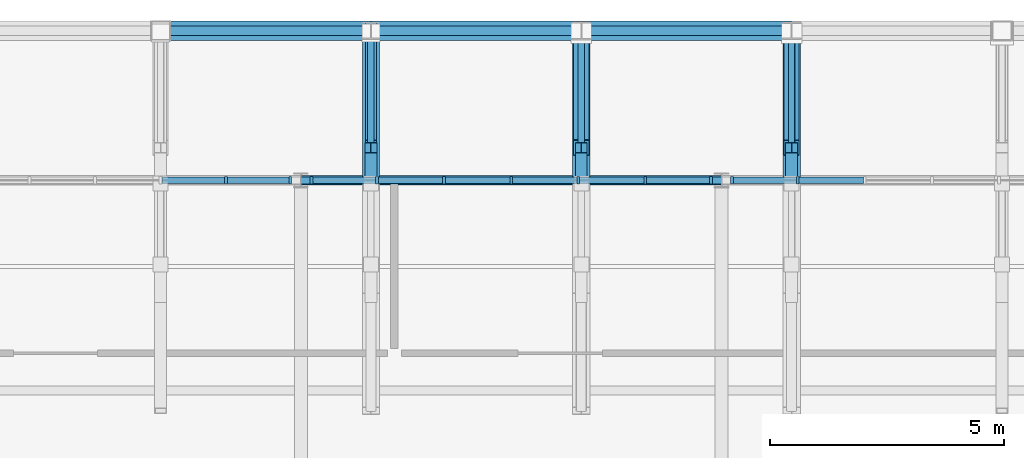
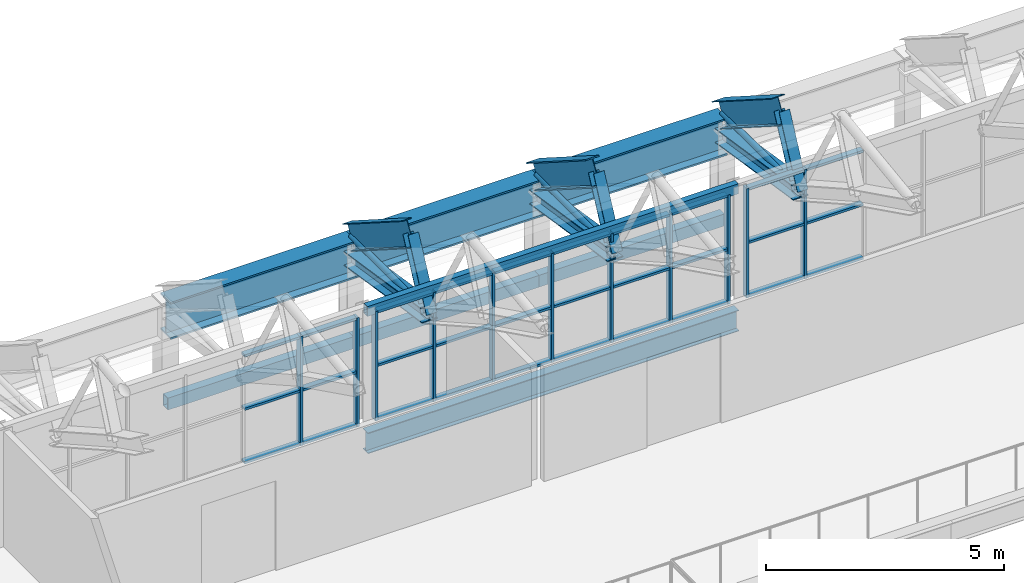
# One storey, part 66 of 134: 50 members, 11 beams, 3 elements without a shape of their own.
"""IFC4 building model written with IfcOpenShell, lengths in metres."""

from ifc_helpers import new_model, si_unit, direction, frame, origin, origin_2d, place, context, subcontext, project, spatial, rectangle, hollow_rectangle, hollow_circle, i_section, extrude, material, layer, layer_set, material_profile, profile_set, type_object, element, aggregate, save


model = new_model("IFC4")

# Units and contexts
model_context = context("Model", 3, precision=1e-05, world=origin(), true_north=direction((0.0, 1.0)))
body_context = subcontext(model_context, "Body", "Model", "MODEL_VIEW")
ifc_project = project(units=[si_unit("LENGTHUNIT", "METRE"), si_unit("AREAUNIT", "SQUARE_METRE"), si_unit("VOLUMEUNIT", "CUBIC_METRE"), si_unit("PLANEANGLEUNIT", "RADIAN"), si_unit("MASSUNIT", "GRAM", prefix="KILO")], contexts=[model_context])

# Site, building, storey
site_placement = place(None, origin())
site = spatial("IfcSite", under=ifc_project, at=site_placement, CompositionType="ELEMENT")
building_placement = place(site_placement, origin())
building = spatial("IfcBuilding", under=site, at=building_placement, Name="Cazmaro Siding Exhibition Halls", CompositionType="ELEMENT")
storey_placement = place(building_placement, frame((0.0, 0.0, 12.0)))
storey = spatial("IfcBuildingStorey", under=building, at=storey_placement, Name="L02", CompositionType="ELEMENT", Elevation=12.0)

# Beams
ifc_material_1 = material(Name="Steel ASTM A992 Grade 50", Category="steel")
ifc_material_profile_1 = material_profile(ifc_material_1, i_section(OverallWidth=0.327880859375, OverallDepth=0.626953125, WebThickness=0.01708984375, FlangeThickness=0.028076171875, at=origin_2d()), Name="W24X146")
ifc_profile_set_1 = profile_set([ifc_material_profile_1], Name="Steel ASTM A992 Grade 50")
beam_type_1 = type_object("IfcBeamType", Name="AR-01", PredefinedType="USERDEFINED", material=ifc_profile_set_1)
beam_1_placement = place(storey_placement, frame((72.0, 121.5, 3.89306640625), z_axis=(0.0, 0.843339173298, -0.537381650954), x_axis=(-1.0, 0.0, 0.0)))
element("IfcBeam", 1, at=beam_1_placement, inside=storey, type_object=beam_type_1, Name="Space frame barrel vault arched rib AR-01 BM-0702", ObjectType="ARCHED RIB", PredefinedType="USERDEFINED", context=body_context, shape_type="SweptSolid", body=[
    extrude(i_section(OverallWidth=0.327880859375, OverallDepth=0.626953125, WebThickness=0.01708984375, FlangeThickness=0.028076171875, at=origin_2d()), origin(), (0.0, 0.0, 1.0), 2.96435546875),
])
ifc_material_2 = material(Name="Steel ASTM A992 Grade 50", Category="steel")
ifc_material_profile_2 = material_profile(ifc_material_2, i_section(OverallWidth=0.324951171875, OverallDepth=0.612060546875, WebThickness=0.012939453125, FlangeThickness=0.01904296875, at=origin_2d()), Name="W24X104")
ifc_profile_set_2 = profile_set([ifc_material_profile_2], Name="Steel ASTM A992 Grade 50")
beam_type_2 = type_object("IfcBeamType", Name="AR-02", PredefinedType="USERDEFINED", material=ifc_profile_set_2)
beam_2_placement = place(storey_placement, frame((76.5, 121.5, 3.89306640625), z_axis=(0.0, 0.843339173298, -0.537381650954), x_axis=(-1.0, 0.0, 0.0)))
element("IfcBeam", 2, at=beam_2_placement, inside=storey, type_object=beam_type_2, Name="Space frame barrel vault arched rib AR-02 BM-0726", ObjectType="ARCHED RIB", PredefinedType="USERDEFINED", context=body_context, shape_type="SweptSolid", body=[
    extrude(i_section(OverallWidth=0.324951171875, OverallDepth=0.612060546875, WebThickness=0.012939453125, FlangeThickness=0.01904296875, at=origin_2d()), origin(), (0.0, 0.0, 1.0), 2.96435546875),
])
ifc_material_3 = material(Name="Steel ASTM A992 Grade 50", Category="steel")
ifc_material_profile_3 = material_profile(ifc_material_3, i_section(OverallWidth=0.22900390625, OverallDepth=0.612060546875, WebThickness=0.011962890625, FlangeThickness=0.02001953125, at=origin_2d()), Name="W24X84")
ifc_profile_set_3 = profile_set([ifc_material_profile_3], Name="Steel ASTM A992 Grade 50")
beam_type_3 = type_object("IfcBeamType", Name="AR-03", PredefinedType="USERDEFINED", material=ifc_profile_set_3)
beam_3_placement = place(storey_placement, frame((67.5, 121.5, 3.89306640625), z_axis=(0.0, 0.843339173298, -0.537381650954), x_axis=(-1.0, 0.0, 0.0)))
element("IfcBeam", 3, at=beam_3_placement, inside=storey, type_object=beam_type_3, Name="Space frame barrel vault arched rib AR-03 BM-0678", ObjectType="ARCHED RIB", PredefinedType="USERDEFINED", context=body_context, shape_type="SweptSolid", body=[
    extrude(i_section(OverallWidth=0.22900390625, OverallDepth=0.612060546875, WebThickness=0.011962890625, FlangeThickness=0.02001953125, at=origin_2d()), origin(), (0.0, 0.0, 1.0), 2.96435546875),
])
ifc_material_4 = material(Name="Steel ASTM A992 Grade 50", Category="steel")
ifc_material_profile_4 = material_profile(ifc_material_4, i_section(OverallWidth=0.2099609375, OverallDepth=0.535888671875, WebThickness=0.010986328125, FlangeThickness=0.01708984375, at=origin_2d()), Name="W21X68")
ifc_profile_set_4 = profile_set([ifc_material_profile_4], Name="Steel ASTM A992 Grade 50")
beam_type_4 = type_object("IfcBeamType", Name="B-02", PredefinedType="BEAM", material=ifc_profile_set_4)
beam_4_placement = place(storey_placement, frame((66.0, 120.800048828125, -0.488037109375), z_axis=(1.0, 0.0, 0.0), x_axis=(0.0, 1.0, 0.0)))
element("IfcBeam", 4, at=beam_4_placement, inside=storey, type_object=beam_type_4, Name="Beam B-02 BM-0405", PredefinedType="BEAM", context=body_context, shape_type="SweptSolid", body=[
    extrude(i_section(OverallWidth=0.2099609375, OverallDepth=0.535888671875, WebThickness=0.010986328125, FlangeThickness=0.01708984375, at=origin_2d()), origin(), (0.0, 0.0, 1.0), 9.0),
])

# Curtain wall, members
ifc_material_5 = material(Name="Anodized Bronze Aluminum and Solar-Control Low-E Glazing", Category="aluminium")
ifc_layer = layer(ifc_material_5, 0.159912109375)
ifc_layer_set = layer_set([ifc_layer], Name="Anodized Bronze Aluminum and Solar-Control Low-E Glazing")
curtain_wall_type = type_object("IfcCurtainWallType", Name="CWS-04", PredefinedType="USERDEFINED", material=ifc_layer_set)
curtain_wall_1_placement = place(storey_placement, origin())
curtain_wall_1 = element("IfcCurtainWall", 5, at=curtain_wall_1_placement, inside=storey, type_object=curtain_wall_type, Name="Clerestory Curtain Wall CWS-04 CW-007", ObjectType="CLERESTORY CURTAIN WALL", PredefinedType="USERDEFINED")
ifc_material_6 = material(Name="Anodized Bronze Extruded Aluminum", Category="aluminium")
ifc_material_profile_5 = material_profile(ifc_material_6, rectangle(XDim=0.159912109375, YDim=0.06005859375, at=origin_2d()), Name="CWM-04")
ifc_profile_set_5 = profile_set([ifc_material_profile_5], Name="Anodized Bronze Extruded Aluminum")
member_type_1 = type_object("IfcMemberType", Name="CWM-04", PredefinedType="MULLION", material=ifc_profile_set_5)
member_1_placement = place(storey_placement, frame((65.77294921875, 120.800048828125, 0.0), z_axis=(0.0, 0.0, 1.0), x_axis=(0.0, -1.0, 0.0)))
member_1 = element("IfcMember", 6, at=member_1_placement, type_object=member_type_1, Name="CWS-04 mullion 1", PredefinedType="MULLION", context=body_context, shape_type="SweptSolid", body=[
    extrude(rectangle(XDim=0.159912109375, YDim=0.06005859375, at=origin_2d()), origin(), (0.0, 0.0, 1.0), 2.800048828125),
])
member_2_placement = place(storey_placement, frame((64.402099609375, 120.800048828125, 0.0), z_axis=(0.0, 0.0, 1.0), x_axis=(0.0, -1.0, 0.0)))
member_2 = element("IfcMember", 7, at=member_2_placement, type_object=member_type_1, Name="CWS-04 mullion 2", PredefinedType="MULLION", context=body_context, shape_type="SweptSolid", body=[
    extrude(rectangle(XDim=0.159912109375, YDim=0.06005859375, at=origin_2d()), origin(), (0.0, 0.0, 1.0), 2.800048828125),
])

curtain_wall_2_placement = place(storey_placement, origin())
curtain_wall_2 = element("IfcCurtainWall", 8, at=curtain_wall_2_placement, inside=storey, type_object=curtain_wall_type, Name="Clerestory Curtain Wall CWS-04 CW-010", ObjectType="CLERESTORY CURTAIN WALL", PredefinedType="USERDEFINED")
member_3_placement = place(storey_placement, frame((74.77294921875, 120.800048828125, 0.0), z_axis=(0.0, 0.0, 1.0), x_axis=(0.0, -1.0, 0.0)))
member_3 = element("IfcMember", 9, at=member_3_placement, type_object=member_type_1, Name="CWS-04 mullion 1", PredefinedType="MULLION", context=body_context, shape_type="SweptSolid", body=[
    extrude(rectangle(XDim=0.159912109375, YDim=0.06005859375, at=origin_2d()), origin(), (0.0, 0.0, 1.0), 2.800048828125),
])
member_4_placement = place(storey_placement, frame((73.36865234375, 120.800048828125, 0.0), z_axis=(0.0, 0.0, 1.0), x_axis=(0.0, -1.0, 0.0)))
member_4 = element("IfcMember", 10, at=member_4_placement, type_object=member_type_1, Name="CWS-04 mullion 2", PredefinedType="MULLION", context=body_context, shape_type="SweptSolid", body=[
    extrude(rectangle(XDim=0.159912109375, YDim=0.06005859375, at=origin_2d()), origin(), (0.0, 0.0, 1.0), 2.800048828125),
])
member_5_placement = place(storey_placement, frame((71.934326171875, 120.800048828125, 0.0), z_axis=(0.0, 0.0, 1.0), x_axis=(0.0, -1.0, 0.0)))
member_5 = element("IfcMember", 11, at=member_5_placement, type_object=member_type_1, Name="CWS-04 mullion 3", PredefinedType="MULLION", context=body_context, shape_type="SweptSolid", body=[
    extrude(rectangle(XDim=0.159912109375, YDim=0.06005859375, at=origin_2d()), origin(), (0.0, 0.0, 1.0), 2.800048828125),
])
member_6_placement = place(storey_placement, frame((70.5, 120.800048828125, 0.0), z_axis=(0.0, 0.0, 1.0), x_axis=(0.0, -1.0, 0.0)))
member_6 = element("IfcMember", 12, at=member_6_placement, type_object=member_type_1, Name="CWS-04 mullion 4", PredefinedType="MULLION", context=body_context, shape_type="SweptSolid", body=[
    extrude(rectangle(XDim=0.159912109375, YDim=0.06005859375, at=origin_2d()), origin(), (0.0, 0.0, 1.0), 2.800048828125),
])
member_7_placement = place(storey_placement, frame((69.065673828125, 120.800048828125, 0.0), z_axis=(0.0, 0.0, 1.0), x_axis=(0.0, -1.0, 0.0)))
member_7 = element("IfcMember", 13, at=member_7_placement, type_object=member_type_1, Name="CWS-04 mullion 5", PredefinedType="MULLION", context=body_context, shape_type="SweptSolid", body=[
    extrude(rectangle(XDim=0.159912109375, YDim=0.06005859375, at=origin_2d()), origin(), (0.0, 0.0, 1.0), 2.800048828125),
])
member_8_placement = place(storey_placement, frame((67.63134765625, 120.800048828125, 0.0), z_axis=(0.0, 0.0, 1.0), x_axis=(0.0, -1.0, 0.0)))
member_8 = element("IfcMember", 14, at=member_8_placement, type_object=member_type_1, Name="CWS-04 mullion 6", PredefinedType="MULLION", context=body_context, shape_type="SweptSolid", body=[
    extrude(rectangle(XDim=0.159912109375, YDim=0.06005859375, at=origin_2d()), origin(), (0.0, 0.0, 1.0), 2.800048828125),
])
member_9_placement = place(storey_placement, frame((66.22705078125, 120.800048828125, 0.0), z_axis=(0.0, 0.0, 1.0), x_axis=(0.0, -1.0, 0.0)))
member_9 = element("IfcMember", 15, at=member_9_placement, type_object=member_type_1, Name="CWS-04 mullion 7", PredefinedType="MULLION", context=body_context, shape_type="SweptSolid", body=[
    extrude(rectangle(XDim=0.159912109375, YDim=0.06005859375, at=origin_2d()), origin(), (0.0, 0.0, 1.0), 2.800048828125),
])

curtain_wall_3_placement = place(storey_placement, origin())
curtain_wall_3 = element("IfcCurtainWall", 16, at=curtain_wall_3_placement, inside=storey, type_object=curtain_wall_type, Name="Clerestory Curtain Wall CWS-04 CW-015", ObjectType="CLERESTORY CURTAIN WALL", PredefinedType="USERDEFINED")
member_10_placement = place(storey_placement, frame((76.63134765625, 120.800048828125, 0.0), z_axis=(0.0, 0.0, 1.0), x_axis=(0.0, -1.0, 0.0)))
member_10 = element("IfcMember", 17, at=member_10_placement, type_object=member_type_1, Name="CWS-04 mullion 6", PredefinedType="MULLION", context=body_context, shape_type="SweptSolid", body=[
    extrude(rectangle(XDim=0.159912109375, YDim=0.06005859375, at=origin_2d()), origin(), (0.0, 0.0, 1.0), 2.800048828125),
])
member_11_placement = place(storey_placement, frame((75.22705078125, 120.800048828125, 0.0), z_axis=(0.0, 0.0, 1.0), x_axis=(0.0, -1.0, 0.0)))
member_11 = element("IfcMember", 18, at=member_11_placement, type_object=member_type_1, Name="CWS-04 mullion 7", PredefinedType="MULLION", context=body_context, shape_type="SweptSolid", body=[
    extrude(rectangle(XDim=0.159912109375, YDim=0.06005859375, at=origin_2d()), origin(), (0.0, 0.0, 1.0), 2.800048828125),
])

# Member
ifc_material_7 = material(Name="Anodized Bronze Extruded Aluminum", Category="aluminium")
ifc_material_profile_6 = material_profile(ifc_material_7, rectangle(XDim=0.139892578125, YDim=0.06005859375, at=origin_2d()), Name="CWT-04")
ifc_profile_set_6 = profile_set([ifc_material_profile_6], Name="Anodized Bronze Extruded Aluminum")
member_type_2 = type_object("IfcMemberType", Name="CWT-04", PredefinedType="MULLION", material=ifc_profile_set_6)
member_12_placement = place(storey_placement, frame((65.742919921875, 120.800048828125, 0.030029296875), z_axis=(-1.0, 0.0, 0.0), x_axis=(0.0, -1.0, 0.0)))
member_12 = element("IfcMember", 19, at=member_12_placement, type_object=member_type_2, Name="CWS-04 transom 1.1", ObjectType="TRANSOM", PredefinedType="USERDEFINED", context=body_context, shape_type="SweptSolid", body=[
    extrude(rectangle(XDim=0.139892578125, YDim=0.06005859375, at=origin_2d()), origin(), (0.0, 0.0, 1.0), 1.31103515625),
])

member_13_placement = place(storey_placement, frame((65.742919921875, 120.800048828125, 1.39990234375), z_axis=(-1.0, 0.0, 0.0), x_axis=(0.0, -1.0, 0.0)))
member_13 = element("IfcMember", 20, at=member_13_placement, type_object=member_type_2, Name="CWS-04 transom 1.2", ObjectType="TRANSOM", PredefinedType="USERDEFINED", context=body_context, shape_type="SweptSolid", body=[
    extrude(rectangle(XDim=0.139892578125, YDim=0.06005859375, at=origin_2d()), origin(), (0.0, 0.0, 1.0), 1.31103515625),
])

member_14_placement = place(storey_placement, frame((65.742919921875, 120.800048828125, 2.77001953125), z_axis=(-1.0, 0.0, 0.0), x_axis=(0.0, -1.0, 0.0)))
member_14 = element("IfcMember", 21, at=member_14_placement, type_object=member_type_2, Name="CWS-04 transom 1.3", ObjectType="TRANSOM", PredefinedType="USERDEFINED", context=body_context, shape_type="SweptSolid", body=[
    extrude(rectangle(XDim=0.139892578125, YDim=0.06005859375, at=origin_2d()), origin(), (0.0, 0.0, 1.0), 1.31103515625),
])

member_15_placement = place(storey_placement, frame((64.3720703125, 120.800048828125, 0.030029296875), z_axis=(-1.0, 0.0, 0.0), x_axis=(0.0, -1.0, 0.0)))
member_15 = element("IfcMember", 22, at=member_15_placement, type_object=member_type_2, Name="CWS-04 transom 2.1", ObjectType="TRANSOM", PredefinedType="USERDEFINED", context=body_context, shape_type="SweptSolid", body=[
    extrude(rectangle(XDim=0.139892578125, YDim=0.06005859375, at=origin_2d()), origin(), (0.0, 0.0, 1.0), 1.341064453125),
])

member_16_placement = place(storey_placement, frame((64.3720703125, 120.800048828125, 1.39990234375), z_axis=(-1.0, 0.0, 0.0), x_axis=(0.0, -1.0, 0.0)))
member_16 = element("IfcMember", 23, at=member_16_placement, type_object=member_type_2, Name="CWS-04 transom 2.2", ObjectType="TRANSOM", PredefinedType="USERDEFINED", context=body_context, shape_type="SweptSolid", body=[
    extrude(rectangle(XDim=0.139892578125, YDim=0.06005859375, at=origin_2d()), origin(), (0.0, 0.0, 1.0), 1.341064453125),
])

member_17_placement = place(storey_placement, frame((64.3720703125, 120.800048828125, 2.77001953125), z_axis=(-1.0, 0.0, 0.0), x_axis=(0.0, -1.0, 0.0)))
member_17 = element("IfcMember", 24, at=member_17_placement, type_object=member_type_2, Name="CWS-04 transom 2.3", ObjectType="TRANSOM", PredefinedType="USERDEFINED", context=body_context, shape_type="SweptSolid", body=[
    extrude(rectangle(XDim=0.139892578125, YDim=0.06005859375, at=origin_2d()), origin(), (0.0, 0.0, 1.0), 1.341064453125),
])

aggregate(curtain_wall_1, [member_1, member_2, member_12, member_13, member_14, member_15, member_16, member_17])

member_18_placement = place(storey_placement, frame((74.742919921875, 120.800048828125, 0.030029296875), z_axis=(-1.0, 0.0, 0.0), x_axis=(0.0, -1.0, 0.0)))
member_18 = element("IfcMember", 25, at=member_18_placement, type_object=member_type_2, Name="CWS-04 transom 1.1", ObjectType="TRANSOM", PredefinedType="USERDEFINED", context=body_context, shape_type="SweptSolid", body=[
    extrude(rectangle(XDim=0.139892578125, YDim=0.06005859375, at=origin_2d()), origin(), (0.0, 0.0, 1.0), 1.34423828125),
])

member_19_placement = place(storey_placement, frame((74.742919921875, 120.800048828125, 1.39990234375), z_axis=(-1.0, 0.0, 0.0), x_axis=(0.0, -1.0, 0.0)))
member_19 = element("IfcMember", 26, at=member_19_placement, type_object=member_type_2, Name="CWS-04 transom 1.2", ObjectType="TRANSOM", PredefinedType="USERDEFINED", context=body_context, shape_type="SweptSolid", body=[
    extrude(rectangle(XDim=0.139892578125, YDim=0.06005859375, at=origin_2d()), origin(), (0.0, 0.0, 1.0), 1.34423828125),
])

member_20_placement = place(storey_placement, frame((74.742919921875, 120.800048828125, 2.77001953125), z_axis=(-1.0, 0.0, 0.0), x_axis=(0.0, -1.0, 0.0)))
member_20 = element("IfcMember", 27, at=member_20_placement, type_object=member_type_2, Name="CWS-04 transom 1.3", ObjectType="TRANSOM", PredefinedType="USERDEFINED", context=body_context, shape_type="SweptSolid", body=[
    extrude(rectangle(XDim=0.139892578125, YDim=0.06005859375, at=origin_2d()), origin(), (0.0, 0.0, 1.0), 1.34423828125),
])

member_21_placement = place(storey_placement, frame((73.338623046875, 120.800048828125, 0.030029296875), z_axis=(-1.0, 0.0, 0.0), x_axis=(0.0, -1.0, 0.0)))
member_21 = element("IfcMember", 28, at=member_21_placement, type_object=member_type_2, Name="CWS-04 transom 2.1", ObjectType="TRANSOM", PredefinedType="USERDEFINED", context=body_context, shape_type="SweptSolid", body=[
    extrude(rectangle(XDim=0.139892578125, YDim=0.06005859375, at=origin_2d()), origin(), (0.0, 0.0, 1.0), 1.374267578125),
])

member_22_placement = place(storey_placement, frame((73.338623046875, 120.800048828125, 1.39990234375), z_axis=(-1.0, 0.0, 0.0), x_axis=(0.0, -1.0, 0.0)))
member_22 = element("IfcMember", 29, at=member_22_placement, type_object=member_type_2, Name="CWS-04 transom 2.2", ObjectType="TRANSOM", PredefinedType="USERDEFINED", context=body_context, shape_type="SweptSolid", body=[
    extrude(rectangle(XDim=0.139892578125, YDim=0.06005859375, at=origin_2d()), origin(), (0.0, 0.0, 1.0), 1.374267578125),
])

member_23_placement = place(storey_placement, frame((73.338623046875, 120.800048828125, 2.77001953125), z_axis=(-1.0, 0.0, 0.0), x_axis=(0.0, -1.0, 0.0)))
member_23 = element("IfcMember", 30, at=member_23_placement, type_object=member_type_2, Name="CWS-04 transom 2.3", ObjectType="TRANSOM", PredefinedType="USERDEFINED", context=body_context, shape_type="SweptSolid", body=[
    extrude(rectangle(XDim=0.139892578125, YDim=0.06005859375, at=origin_2d()), origin(), (0.0, 0.0, 1.0), 1.374267578125),
])

member_24_placement = place(storey_placement, frame((71.904296875, 120.800048828125, 0.030029296875), z_axis=(-1.0, 0.0, 0.0), x_axis=(0.0, -1.0, 0.0)))
member_24 = element("IfcMember", 31, at=member_24_placement, type_object=member_type_2, Name="CWS-04 transom 3.1", ObjectType="TRANSOM", PredefinedType="USERDEFINED", context=body_context, shape_type="SweptSolid", body=[
    extrude(rectangle(XDim=0.139892578125, YDim=0.06005859375, at=origin_2d()), origin(), (0.0, 0.0, 1.0), 1.374267578125),
])

member_25_placement = place(storey_placement, frame((71.904296875, 120.800048828125, 1.39990234375), z_axis=(-1.0, 0.0, 0.0), x_axis=(0.0, -1.0, 0.0)))
member_25 = element("IfcMember", 32, at=member_25_placement, type_object=member_type_2, Name="CWS-04 transom 3.2", ObjectType="TRANSOM", PredefinedType="USERDEFINED", context=body_context, shape_type="SweptSolid", body=[
    extrude(rectangle(XDim=0.139892578125, YDim=0.06005859375, at=origin_2d()), origin(), (0.0, 0.0, 1.0), 1.374267578125),
])

member_26_placement = place(storey_placement, frame((71.904296875, 120.800048828125, 2.77001953125), z_axis=(-1.0, 0.0, 0.0), x_axis=(0.0, -1.0, 0.0)))
member_26 = element("IfcMember", 33, at=member_26_placement, type_object=member_type_2, Name="CWS-04 transom 3.3", ObjectType="TRANSOM", PredefinedType="USERDEFINED", context=body_context, shape_type="SweptSolid", body=[
    extrude(rectangle(XDim=0.139892578125, YDim=0.06005859375, at=origin_2d()), origin(), (0.0, 0.0, 1.0), 1.374267578125),
])

member_27_placement = place(storey_placement, frame((70.469970703125, 120.800048828125, 0.030029296875), z_axis=(-1.0, 0.0, 0.0), x_axis=(0.0, -1.0, 0.0)))
member_27 = element("IfcMember", 34, at=member_27_placement, type_object=member_type_2, Name="CWS-04 transom 4.1", ObjectType="TRANSOM", PredefinedType="USERDEFINED", context=body_context, shape_type="SweptSolid", body=[
    extrude(rectangle(XDim=0.139892578125, YDim=0.06005859375, at=origin_2d()), origin(), (0.0, 0.0, 1.0), 1.374267578125),
])

member_28_placement = place(storey_placement, frame((70.469970703125, 120.800048828125, 1.39990234375), z_axis=(-1.0, 0.0, 0.0), x_axis=(0.0, -1.0, 0.0)))
member_28 = element("IfcMember", 35, at=member_28_placement, type_object=member_type_2, Name="CWS-04 transom 4.2", ObjectType="TRANSOM", PredefinedType="USERDEFINED", context=body_context, shape_type="SweptSolid", body=[
    extrude(rectangle(XDim=0.139892578125, YDim=0.06005859375, at=origin_2d()), origin(), (0.0, 0.0, 1.0), 1.374267578125),
])

member_29_placement = place(storey_placement, frame((70.469970703125, 120.800048828125, 2.77001953125), z_axis=(-1.0, 0.0, 0.0), x_axis=(0.0, -1.0, 0.0)))
member_29 = element("IfcMember", 36, at=member_29_placement, type_object=member_type_2, Name="CWS-04 transom 4.3", ObjectType="TRANSOM", PredefinedType="USERDEFINED", context=body_context, shape_type="SweptSolid", body=[
    extrude(rectangle(XDim=0.139892578125, YDim=0.06005859375, at=origin_2d()), origin(), (0.0, 0.0, 1.0), 1.374267578125),
])

member_30_placement = place(storey_placement, frame((69.03564453125, 120.800048828125, 0.030029296875), z_axis=(-1.0, 0.0, 0.0), x_axis=(0.0, -1.0, 0.0)))
member_30 = element("IfcMember", 37, at=member_30_placement, type_object=member_type_2, Name="CWS-04 transom 5.1", ObjectType="TRANSOM", PredefinedType="USERDEFINED", context=body_context, shape_type="SweptSolid", body=[
    extrude(rectangle(XDim=0.139892578125, YDim=0.06005859375, at=origin_2d()), origin(), (0.0, 0.0, 1.0), 1.374267578125),
])

member_31_placement = place(storey_placement, frame((69.03564453125, 120.800048828125, 1.39990234375), z_axis=(-1.0, 0.0, 0.0), x_axis=(0.0, -1.0, 0.0)))
member_31 = element("IfcMember", 38, at=member_31_placement, type_object=member_type_2, Name="CWS-04 transom 5.2", ObjectType="TRANSOM", PredefinedType="USERDEFINED", context=body_context, shape_type="SweptSolid", body=[
    extrude(rectangle(XDim=0.139892578125, YDim=0.06005859375, at=origin_2d()), origin(), (0.0, 0.0, 1.0), 1.374267578125),
])

member_32_placement = place(storey_placement, frame((69.03564453125, 120.800048828125, 2.77001953125), z_axis=(-1.0, 0.0, 0.0), x_axis=(0.0, -1.0, 0.0)))
member_32 = element("IfcMember", 39, at=member_32_placement, type_object=member_type_2, Name="CWS-04 transom 5.3", ObjectType="TRANSOM", PredefinedType="USERDEFINED", context=body_context, shape_type="SweptSolid", body=[
    extrude(rectangle(XDim=0.139892578125, YDim=0.06005859375, at=origin_2d()), origin(), (0.0, 0.0, 1.0), 1.374267578125),
])

member_33_placement = place(storey_placement, frame((67.601318359375, 120.800048828125, 0.030029296875), z_axis=(-1.0, 0.0, 0.0), x_axis=(0.0, -1.0, 0.0)))
member_33 = element("IfcMember", 40, at=member_33_placement, type_object=member_type_2, Name="CWS-04 transom 6.1", ObjectType="TRANSOM", PredefinedType="USERDEFINED", context=body_context, shape_type="SweptSolid", body=[
    extrude(rectangle(XDim=0.139892578125, YDim=0.06005859375, at=origin_2d()), origin(), (0.0, 0.0, 1.0), 1.34423828125),
])

member_34_placement = place(storey_placement, frame((67.601318359375, 120.800048828125, 1.39990234375), z_axis=(-1.0, 0.0, 0.0), x_axis=(0.0, -1.0, 0.0)))
member_34 = element("IfcMember", 41, at=member_34_placement, type_object=member_type_2, Name="CWS-04 transom 6.2", ObjectType="TRANSOM", PredefinedType="USERDEFINED", context=body_context, shape_type="SweptSolid", body=[
    extrude(rectangle(XDim=0.139892578125, YDim=0.06005859375, at=origin_2d()), origin(), (0.0, 0.0, 1.0), 1.34423828125),
])

member_35_placement = place(storey_placement, frame((67.601318359375, 120.800048828125, 2.77001953125), z_axis=(-1.0, 0.0, 0.0), x_axis=(0.0, -1.0, 0.0)))
member_35 = element("IfcMember", 42, at=member_35_placement, type_object=member_type_2, Name="CWS-04 transom 6.3", ObjectType="TRANSOM", PredefinedType="USERDEFINED", context=body_context, shape_type="SweptSolid", body=[
    extrude(rectangle(XDim=0.139892578125, YDim=0.06005859375, at=origin_2d()), origin(), (0.0, 0.0, 1.0), 1.34423828125),
])

aggregate(curtain_wall_2, [member_3, member_4, member_5, member_6, member_7, member_8, member_9, member_18, member_19, member_20, member_21, member_22, member_23, member_24, member_25, member_26, member_27, member_28, member_29, member_30, member_31, member_32, member_33, member_34, member_35])

member_36_placement = place(storey_placement, frame((78.03564453125, 120.800048828125, 0.030029296875), z_axis=(-1.0, 0.0, 0.0), x_axis=(0.0, -1.0, 0.0)))
member_36 = element("IfcMember", 43, at=member_36_placement, type_object=member_type_2, Name="CWS-04 transom 5.1", ObjectType="TRANSOM", PredefinedType="USERDEFINED", context=body_context, shape_type="SweptSolid", body=[
    extrude(rectangle(XDim=0.139892578125, YDim=0.06005859375, at=origin_2d()), origin(), (0.0, 0.0, 1.0), 1.374267578125),
])

member_37_placement = place(storey_placement, frame((78.03564453125, 120.800048828125, 1.39990234375), z_axis=(-1.0, 0.0, 0.0), x_axis=(0.0, -1.0, 0.0)))
member_37 = element("IfcMember", 44, at=member_37_placement, type_object=member_type_2, Name="CWS-04 transom 5.2", ObjectType="TRANSOM", PredefinedType="USERDEFINED", context=body_context, shape_type="SweptSolid", body=[
    extrude(rectangle(XDim=0.139892578125, YDim=0.06005859375, at=origin_2d()), origin(), (0.0, 0.0, 1.0), 1.374267578125),
])

member_38_placement = place(storey_placement, frame((78.03564453125, 120.800048828125, 2.77001953125), z_axis=(-1.0, 0.0, 0.0), x_axis=(0.0, -1.0, 0.0)))
member_38 = element("IfcMember", 45, at=member_38_placement, type_object=member_type_2, Name="CWS-04 transom 5.3", ObjectType="TRANSOM", PredefinedType="USERDEFINED", context=body_context, shape_type="SweptSolid", body=[
    extrude(rectangle(XDim=0.139892578125, YDim=0.06005859375, at=origin_2d()), origin(), (0.0, 0.0, 1.0), 1.374267578125),
])

member_39_placement = place(storey_placement, frame((76.601318359375, 120.800048828125, 0.030029296875), z_axis=(-1.0, 0.0, 0.0), x_axis=(0.0, -1.0, 0.0)))
member_39 = element("IfcMember", 46, at=member_39_placement, type_object=member_type_2, Name="CWS-04 transom 6.1", ObjectType="TRANSOM", PredefinedType="USERDEFINED", context=body_context, shape_type="SweptSolid", body=[
    extrude(rectangle(XDim=0.139892578125, YDim=0.06005859375, at=origin_2d()), origin(), (0.0, 0.0, 1.0), 1.34423828125),
])

member_40_placement = place(storey_placement, frame((76.601318359375, 120.800048828125, 1.39990234375), z_axis=(-1.0, 0.0, 0.0), x_axis=(0.0, -1.0, 0.0)))
member_40 = element("IfcMember", 47, at=member_40_placement, type_object=member_type_2, Name="CWS-04 transom 6.2", ObjectType="TRANSOM", PredefinedType="USERDEFINED", context=body_context, shape_type="SweptSolid", body=[
    extrude(rectangle(XDim=0.139892578125, YDim=0.06005859375, at=origin_2d()), origin(), (0.0, 0.0, 1.0), 1.34423828125),
])

member_41_placement = place(storey_placement, frame((76.601318359375, 120.800048828125, 2.77001953125), z_axis=(-1.0, 0.0, 0.0), x_axis=(0.0, -1.0, 0.0)))
member_41 = element("IfcMember", 48, at=member_41_placement, type_object=member_type_2, Name="CWS-04 transom 6.3", ObjectType="TRANSOM", PredefinedType="USERDEFINED", context=body_context, shape_type="SweptSolid", body=[
    extrude(rectangle(XDim=0.139892578125, YDim=0.06005859375, at=origin_2d()), origin(), (0.0, 0.0, 1.0), 1.34423828125),
])

aggregate(curtain_wall_3, [member_10, member_11, member_36, member_37, member_38, member_39, member_40, member_41])

# Beams
ifc_material_8 = material(Name="Steel ASTM A992 Grade 50", Category="steel")
ifc_material_profile_7 = material_profile(ifc_material_8, i_section(OverallWidth=0.424072265625, OverallDepth=0.947021484375, WebThickness=0.02392578125, FlangeThickness=0.04296875, at=origin_2d()), Name="W36X302")
ifc_profile_set_7 = profile_set([ifc_material_profile_7], Name="Steel ASTM A992 Grade 50")
beam_type_5 = type_object("IfcBeamType", Name="G-01", PredefinedType="USERDEFINED", material=ifc_profile_set_7)
for number, where, z_axis, x_axis, name in (
    (49, (63.0, 124.0, 1.826904296875), (1.0, 0.0, 0.0), (0.0, 1.0, 0.0), "Beam G-01 BM-0090"),
    (50, (67.5, 124.0, 1.826904296875), (1.0, 0.0, 0.0), (0.0, 1.0, 0.0), "Beam G-01 BM-0096"),
    (51, (72.0, 124.0, 1.826904296875), (1.0, 0.0, 0.0), (0.0, 1.0, 0.0), "Beam G-01 BM-0102"),
):
    element("IfcBeam", number, at=place(storey_placement, frame(where, z_axis=z_axis, x_axis=x_axis)), inside=storey, type_object=beam_type_5, Name=name, ObjectType="GIRDER", PredefinedType="USERDEFINED", context=body_context, shape_type="SweptSolid", body=[
        extrude(i_section(OverallWidth=0.424072265625, OverallDepth=0.947021484375, WebThickness=0.02392578125, FlangeThickness=0.04296875, at=origin_2d()), origin(), (0.0, 0.0, 1.0), 4.5),
    ])
ifc_material_9 = material(Name="Steel ASTM A500 Grade C", Category="steel")
ifc_material_profile_8 = material_profile(ifc_material_9, hollow_rectangle(XDim=0.202880859375, YDim=0.304931640625, WallThickness=0.011962890625, at=origin_2d()), Name="HSS12X8X1/2")
ifc_profile_set_8 = profile_set([ifc_material_profile_8], Name="Steel ASTM A500 Grade C")
beam_type_6 = type_object("IfcBeamType", Name="SP-01", PredefinedType="SPANDREL", material=ifc_profile_set_8)
for number, where, z_axis, x_axis, name in (
    (52, (63.0, 124.0, -0.373046875), (1.0, 0.0, 0.0), (0.0, 1.0, 0.0), "Beam SP-01 BM-0089"),
    (53, (67.5, 124.0, -0.373046875), (1.0, 0.0, 0.0), (0.0, 1.0, 0.0), "Beam SP-01 BM-0095"),
    (54, (72.0, 124.0, -0.373046875), (1.0, 0.0, 0.0), (0.0, 1.0, 0.0), "Beam SP-01 BM-0101"),
):
    element("IfcBeam", number, at=place(storey_placement, frame(where, z_axis=z_axis, x_axis=x_axis)), inside=storey, type_object=beam_type_6, Name=name, PredefinedType="SPANDREL", context=body_context, shape_type="SweptSolid", body=[
        extrude(hollow_rectangle(XDim=0.202880859375, YDim=0.304931640625, WallThickness=0.011962890625, at=origin_2d()), origin(), (0.0, 0.0, 1.0), 4.5),
    ])
ifc_material_10 = material(Name="Steel ASTM A500 Grade C", Category="steel")
ifc_material_profile_9 = material_profile(ifc_material_10, hollow_rectangle(XDim=0.152099609375, YDim=0.25390625, WallThickness=0.011962890625, at=origin_2d()), Name="HSS10X6X1/2")
ifc_profile_set_9 = profile_set([ifc_material_profile_9], Name="Steel ASTM A500 Grade C")
beam_type_7 = type_object("IfcBeamType", Name="SP-02", PredefinedType="SPANDREL", material=ifc_profile_set_9)
beam_5_placement = place(storey_placement, frame((66.0, 120.800048828125, 2.873046875), z_axis=(1.0, 0.0, 0.0), x_axis=(0.0, 1.0, 0.0)))
element("IfcBeam", 55, at=beam_5_placement, inside=storey, type_object=beam_type_7, Name="Beam SP-02 BM-0232", PredefinedType="SPANDREL", context=body_context, shape_type="SweptSolid", body=[
    extrude(hollow_rectangle(XDim=0.152099609375, YDim=0.25390625, WallThickness=0.011962890625, at=origin_2d()), origin(), (0.0, 0.0, 1.0), 9.0),
])

# Members
ifc_material_11 = material(Name="Steel ASTM A992 Grade 50", Category="steel")
ifc_material_profile_10 = material_profile(ifc_material_11, i_section(OverallWidth=0.37109375, OverallDepth=0.364013671875, WebThickness=0.012939453125, FlangeThickness=0.02197265625, at=origin_2d()), Name="W14X109")
ifc_profile_set_10 = profile_set([ifc_material_profile_10], Name="Steel ASTM A992 Grade 50")
member_type_3 = type_object("IfcMemberType", Name="TC-06", PredefinedType="CHORD", material=ifc_profile_set_10)
for number, where, z_axis, x_axis, name in (
    (56, (67.5, 120.72900390625, 2.305908203125), (0.0, 0.988252010809, -0.152833121839), (-1.0, 0.0, 0.0), "Space frame barrel vault bottom chord TC-06 MEM-0354"),
    (57, (72.0, 120.72900390625, 2.305908203125), (0.0, 0.988252010809, -0.152833121839), (-1.0, 0.0, 0.0), "Space frame barrel vault bottom chord TC-06 MEM-0425"),
    (58, (76.5, 120.72900390625, 2.305908203125), (0.0, 0.988252010809, -0.152833121839), (-1.0, 0.0, 0.0), "Space frame barrel vault bottom chord TC-06 MEM-0496"),
):
    element("IfcMember", number, at=place(storey_placement, frame(where, z_axis=z_axis, x_axis=x_axis)), inside=storey, type_object=member_type_3, Name=name, PredefinedType="CHORD", context=body_context, shape_type="SweptSolid", body=[
        extrude(i_section(OverallWidth=0.37109375, OverallDepth=0.364013671875, WebThickness=0.012939453125, FlangeThickness=0.02197265625, at=origin_2d()), origin(), (0.0, 0.0, 1.0), 3.309814453125),
    ])
ifc_material_12 = material(Name="Steel ASTM A992 Grade 50", Category="steel")
ifc_material_profile_11 = material_profile(ifc_material_12, i_section(OverallWidth=0.25390625, OverallDepth=0.25390625, WebThickness=0.009033203125, FlangeThickness=0.013916015625, at=origin_2d()), Name="W10X49")
ifc_profile_set_11 = profile_set([ifc_material_profile_11], Name="Steel ASTM A992 Grade 50")
member_type_4 = type_object("IfcMemberType", Name="TP-04", PredefinedType="POST", material=ifc_profile_set_11)
for number, where, z_axis, x_axis, name in (
    (59, (67.5, 120.72900390625, 2.305908203125), (0.0, 0.436945543824, 0.89948796086), (-1.0, 0.0, 0.0), "Space frame barrel vault post TP-04 MEM-0378"),
    (60, (72.0, 120.72900390625, 2.305908203125), (0.0, 0.436945543824, 0.89948796086), (-1.0, 0.0, 0.0), "Space frame barrel vault post TP-04 MEM-0449"),
    (61, (76.5, 120.72900390625, 2.305908203125), (0.0, 0.436945543824, 0.89948796086), (-1.0, 0.0, 0.0), "Space frame barrel vault post TP-04 MEM-0520"),
):
    element("IfcMember", number, at=place(storey_placement, frame(where, z_axis=z_axis, x_axis=x_axis)), inside=storey, type_object=member_type_4, Name=name, PredefinedType="POST", context=body_context, shape_type="SweptSolid", body=[
        extrude(i_section(OverallWidth=0.25390625, OverallDepth=0.25390625, WebThickness=0.009033203125, FlangeThickness=0.013916015625, at=origin_2d()), origin(), (0.0, 0.0, 1.0), 1.764404296875),
    ])
ifc_material_13 = material(Name="Steel ASTM A500 Grade C", Category="steel")
ifc_material_profile_12 = material_profile(ifc_material_13, hollow_circle(Radius=0.070556640625, WallThickness=0.01904296875, at=origin_2d()), Name="PIPE5XXS")
ifc_profile_set_12 = profile_set([ifc_material_profile_12], Name="Steel ASTM A500 Grade C")
member_type_5 = type_object("IfcMemberType", Name="WB-07", PredefinedType="BRACE", material=ifc_profile_set_12)
for number, where, z_axis, x_axis, name in (
    (62, (67.5, 120.72900390625, 2.305908203125), (0.0, 0.999998395604, -0.001791309262), (-1.0, 0.0, 0.0), "Space frame barrel vault diagonal WB-07 MEM-0355"),
    (63, (72.0, 120.72900390625, 2.305908203125), (0.0, 0.999998395604, -0.001791309262), (-1.0, 0.0, 0.0), "Space frame barrel vault diagonal WB-07 MEM-0426"),
    (64, (76.5, 120.72900390625, 2.305908203125), (0.0, 0.999998395604, -0.001791309262), (-1.0, 0.0, 0.0), "Space frame barrel vault diagonal WB-07 MEM-0497"),
):
    element("IfcMember", number, at=place(storey_placement, frame(where, z_axis=z_axis, x_axis=x_axis)), inside=storey, type_object=member_type_5, Name=name, PredefinedType="BRACE", context=body_context, shape_type="SweptSolid", body=[
        extrude(hollow_circle(Radius=0.070556640625, WallThickness=0.01904296875, at=origin_2d()), origin(), (0.0, 0.0, 1.0), 3.27099609375),
    ])

save(model, "model.ifc")
